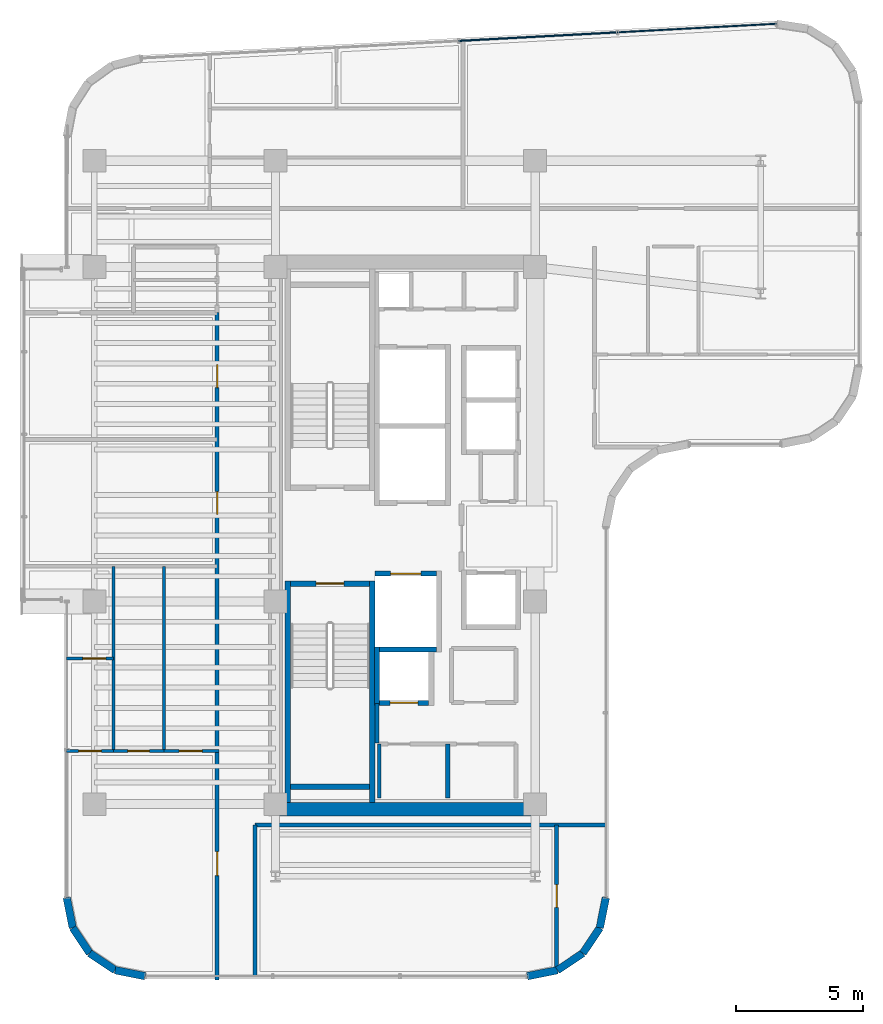
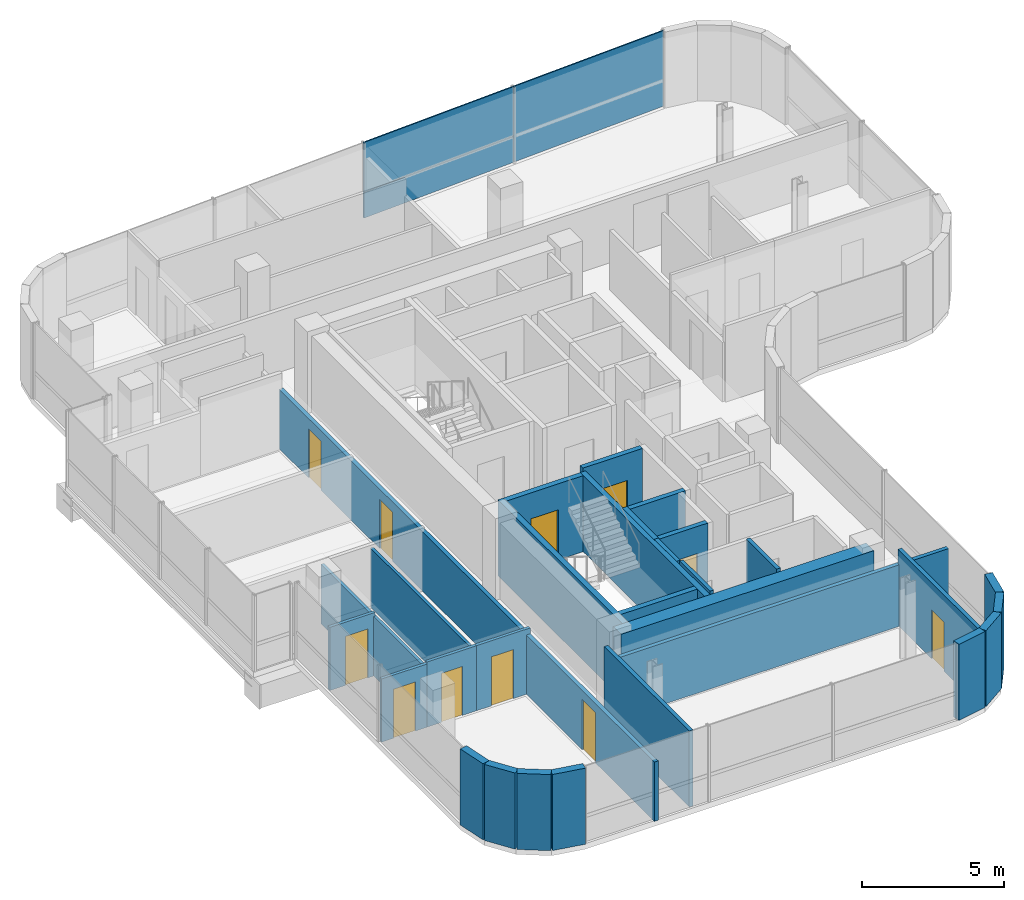
# One storey, part 16 of 22: 30 walls, 11 doors, 3 plates, 11 openings, 1 element without a shape of its own.
"""IFC4 building model written with IfcOpenShell, lengths in metres."""

import ifcopenshell
import ifcopenshell.guid

model = None  # the IFC model being written
_history = None  # IfcOwnerHistory: only IFC2X3 demands one
_inside = {}  # id of a spatial element -> (the spatial element, [elements in it])
_under = {}  # id of a project, library or spatial element -> (it, [spatial elements below it])
_declared = {}  # id of a project -> (the project, [libraries it declares])
_typed = {}  # id of a type object -> (the type object, [elements of that type])
_made_of = {}  # id of a material, layer set ... -> (it, [elements and type objects made of it])


def new_model(schema):
    """Start an empty IFC model of exactly this schema.

    Asked for "IFC4X3", IfcOpenShell would pick the latest addendum, in which some entities
    have other attributes; the version numbers below select the first issue.
    IFC2X3 requires an IfcOwnerHistory on every rooted entity: one is made here for all.
    """
    global model, _history
    if schema == "IFC4X3":
        model = ifcopenshell.file(schema_version=(4, 3, 0, 0))
    else:
        model = ifcopenshell.file(schema=schema)
    _inside.clear()
    _under.clear()
    _declared.clear()
    _typed.clear()
    _made_of.clear()
    _history = None
    if model.schema == "IFC2X3":
        org = make("IfcOrganization", Name="unknown")
        user = make(
            "IfcPersonAndOrganization",
            ThePerson=make("IfcPerson", FamilyName="unknown"),
            TheOrganization=org,
        )
        app = make(
            "IfcApplication",
            ApplicationDeveloper=org,
            Version="unknown",
            ApplicationFullName="unknown",
            ApplicationIdentifier="unknown",
        )
        _history = make(
            "IfcOwnerHistory",
            OwningUser=user,
            OwningApplication=app,
            ChangeAction="ADDED",
            CreationDate=0,
        )
    return model


def make(cls, **values):
    """One entity of the class cls with the attributes given. An attribute that is None is left unset."""
    return model.create_entity(
        cls, **{name: value for name, value in values.items() if value is not None}
    )


def rooted(cls, **values):
    """An entity with a GlobalId (a new one), such as an element, a storey or a relation."""
    return make(cls, GlobalId=ifcopenshell.guid.new(), OwnerHistory=_history, **values)


def si_unit(unit_type, name, prefix=None):
    """IfcSIUnit, for example si_unit("LENGTHUNIT", "METRE", prefix="MILLI")."""
    return make("IfcSIUnit", UnitType=unit_type, Prefix=prefix, Name=name)


def assignment(units):
    """IfcUnitAssignment: the units of a project."""
    return None if units is None else make("IfcUnitAssignment", Units=units)


def point(xyz):
    """IfcCartesianPoint."""
    return None if xyz is None else make("IfcCartesianPoint", Coordinates=xyz)


def direction(xyz):
    """IfcDirection."""
    return None if xyz is None else make("IfcDirection", DirectionRatios=xyz)


def frame(location, z_axis=None, x_axis=None):
    """IfcAxis2Placement3D, a coordinate frame: its origin and axes. An axis left out is left unset."""
    return make(
        "IfcAxis2Placement3D",
        Location=point(location),
        Axis=direction(z_axis),
        RefDirection=direction(x_axis),
    )


def frame_2d(location, x_axis=None):
    """IfcAxis2Placement2D, a coordinate frame in the plane: its origin and x axis."""
    return make(
        "IfcAxis2Placement2D", Location=point(location), RefDirection=direction(x_axis)
    )


def origin():
    """The frame at (0, 0, 0) with its axes left unset."""
    return frame((0.0, 0.0, 0.0))


def origin_2d():
    """The frame at (0, 0) in the plane with its x axis left unset."""
    return frame_2d((0.0, 0.0))


def place(relative_to, where):
    """IfcLocalPlacement: puts the frame where relative to a parent placement (None: the world)."""
    return make(
        "IfcLocalPlacement", PlacementRelTo=relative_to, RelativePlacement=where
    )


def context(
    kind, dimensions, precision=None, world=None, true_north=None, identifier=None
):
    """IfcGeometricRepresentationContext, for example the 3D "Model" context."""
    return make(
        "IfcGeometricRepresentationContext",
        ContextIdentifier=identifier,
        ContextType=kind,
        CoordinateSpaceDimension=dimensions,
        Precision=precision,
        WorldCoordinateSystem=world,
        TrueNorth=true_north,
    )


def subcontext(parent, identifier, kind, view, scale=None):
    """IfcGeometricRepresentationSubContext, for example "Body" below "Model"."""
    return make(
        "IfcGeometricRepresentationSubContext",
        ContextIdentifier=identifier,
        ContextType=kind,
        ParentContext=parent,
        TargetScale=scale,
        TargetView=view,
    )


def project(units=None, contexts=None):
    """IfcProject with its units and contexts."""
    return rooted(
        "IfcProject",
        Name="project",
        RepresentationContexts=contexts,
        UnitsInContext=assignment(units),
    )


def spatial(cls, under=None, at=None, **own):
    """A site, building, storey or space (cls), placed at a placement, below another one or the project."""
    s = rooted(cls, ObjectPlacement=at, **own)
    if under is not None:
        _under.setdefault(under.id(), (under, []))[1].append(s)
    return s


def profile(cls, at=None, kind="AREA", **sizes):
    """A parametric profile (cls). Its sizes go by their IFC names, for example OverallWidth=200.0."""
    return make(cls, ProfileType=kind, Position=at, **sizes)


def rectangle(**sizes):
    """IfcRectangleProfileDef."""
    return profile("IfcRectangleProfileDef", **sizes)


def extrude(swept, where, along, depth):
    """IfcExtrudedAreaSolid: the profile swept, set in the frame where, extruded along a direction by depth."""
    return make(
        "IfcExtrudedAreaSolid",
        SweptArea=swept,
        Position=where,
        ExtrudedDirection=direction(along),
        Depth=depth,
    )


def shape(context_of_items, identifier, shape_type, items):
    """IfcShapeRepresentation: the items that make up one representation, for example the "Body"."""
    return make(
        "IfcShapeRepresentation",
        ContextOfItems=context_of_items,
        RepresentationIdentifier=identifier,
        RepresentationType=shape_type,
        Items=items,
    )


def source(mapping_origin, context_of_items, identifier, shape_type, items):
    """IfcRepresentationMap: a shape defined once, which mapped items show again and again."""
    return make(
        "IfcRepresentationMap",
        MappingOrigin=mapping_origin,
        MappedRepresentation=shape(context_of_items, identifier, shape_type, items),
    )


def transform(
    local_origin,
    x_axis=None,
    y_axis=None,
    z_axis=None,
    scale=None,
    scale2=None,
    scale3=None,
    uniform=True,
):
    """IfcCartesianTransformationOperator3D, or its non-uniform kind. x_axis, y_axis, z_axis: its Axis1, 2, 3."""
    if uniform:
        return make(
            "IfcCartesianTransformationOperator3D",
            Axis1=direction(x_axis),
            Axis2=direction(y_axis),
            LocalOrigin=point(local_origin),
            Scale=scale,
            Axis3=direction(z_axis),
        )
    return make(
        "IfcCartesianTransformationOperator3DnonUniform",
        Axis1=direction(x_axis),
        Axis2=direction(y_axis),
        LocalOrigin=point(local_origin),
        Scale=scale,
        Axis3=direction(z_axis),
        Scale2=scale2,
        Scale3=scale3,
    )


def mapped(mapping_source, mapping_target):
    """IfcMappedItem: shows the shape of a source again, moved by a transform."""
    return make(
        "IfcMappedItem", MappingSource=mapping_source, MappingTarget=mapping_target
    )


def material(Name=None, Category=None):
    """IfcMaterial."""
    return make("IfcMaterial", Name=Name, Category=Category)


def layer(
    of_material, thickness, ventilated=None, Name=None, Category=None, Priority=None
):
    """IfcMaterialLayer: one layer of a wall or slab, of a material (None: an air gap)."""
    return make(
        "IfcMaterialLayer",
        Material=of_material,
        LayerThickness=thickness,
        IsVentilated=ventilated,
        Name=Name,
        Category=Category,
        Priority=Priority,
    )


def layer_set(layers, Name=None):
    """IfcMaterialLayerSet."""
    return make("IfcMaterialLayerSet", MaterialLayers=layers, LayerSetName=Name)


def made_of(thing, what):
    """Note that an element or type object is made of a material, layer set ...; save() writes the relation."""
    if what is not None:
        _made_of.setdefault(what.id(), (what, []))[1].append(thing)
    return thing


def type_object(cls, material=None, **own):
    """A type object (cls), such as IfcWallType, which elements share."""
    return made_of(rooted(cls, **own), material)


def element(
    cls,
    number,
    at=None,
    inside=None,
    cuts=None,
    type_object=None,
    material=None,
    context=None,
    identifier="Body",
    shape_type=None,
    held_by="IfcProductDefinitionShape",
    body=None,
    shapes=None,
    **own,
):
    """One element of the class cls, such as IfcWall. Its Tag is "e" and its number.

    at: its placement. inside: the storey or other place that contains it. cuts: it is an
    opening in that element (IfcRelVoidsElement). A single representation is given by context,
    identifier, shape_type and body (its items); several are given by shapes. held_by: the class
    of the entity that holds the representations. save() writes the other relations.
    """
    e = rooted(cls, Tag="e%d" % number, ObjectPlacement=at, **own)
    if body is not None:
        shapes = [shape(context, identifier, shape_type, body)]
    if shapes is not None:
        e.Representation = make(held_by, Representations=shapes)
    if inside is not None:
        _inside.setdefault(inside.id(), (inside, []))[1].append(e)
    if cuts is not None:
        rooted(
            "IfcRelVoidsElement", RelatingBuildingElement=cuts, RelatedOpeningElement=e
        )
    if type_object is not None:
        _typed.setdefault(type_object.id(), (type_object, []))[1].append(e)
    return made_of(e, material)


def fill(opening, filler):
    """IfcRelFillsElement: the door or window that sits in an opening."""
    return rooted(
        "IfcRelFillsElement",
        RelatingOpeningElement=opening,
        RelatedBuildingElement=filler,
    )


def aggregate(whole, parts):
    """IfcRelAggregates: a whole, such as a stair, and the parts it consists of."""
    return rooted("IfcRelAggregates", RelatingObject=whole, RelatedObjects=parts)


def save(model, path):
    """Write the relations noted so far, then the file.

    IfcRelAggregates (storeys below a building ...), IfcRelContainedInSpatialStructure (elements
    in a storey), IfcRelDefinesByType, IfcRelAssociatesMaterial and IfcRelDeclares: one each for
    every whole, place, type object, material and project.
    """
    for whole, parts in _under.values():
        aggregate(whole, parts)
    for where, things in _inside.values():
        rooted(
            "IfcRelContainedInSpatialStructure",
            RelatedElements=things,
            RelatingStructure=where,
        )
    for kind, things in _typed.values():
        rooted("IfcRelDefinesByType", RelatedObjects=things, RelatingType=kind)
    for what, things in _made_of.values():
        rooted("IfcRelAssociatesMaterial", RelatedObjects=things, RelatingMaterial=what)
    for by, libraries in _declared.values():
        rooted("IfcRelDeclares", RelatingContext=by, RelatedDefinitions=libraries)
    model.write(path)


model = new_model("IFC4")

# Units and contexts
model_context = context("Model", 3, precision=1e-05, world=origin(), true_north=direction((0.0, 1.0)))
body_context = subcontext(model_context, "Body", "Model", "MODEL_VIEW")
ifc_project = project(units=[si_unit("LENGTHUNIT", "METRE"), si_unit("AREAUNIT", "SQUARE_METRE"), si_unit("VOLUMEUNIT", "CUBIC_METRE"), si_unit("PLANEANGLEUNIT", "RADIAN"), si_unit("MASSUNIT", "GRAM", prefix="KILO")], contexts=[model_context])

# Site, building, storey
site_placement = place(None, origin())
site = spatial("IfcSite", under=ifc_project, at=site_placement, CompositionType="ELEMENT")
building_placement = place(site_placement, origin())
building = spatial("IfcBuilding", under=site, at=building_placement, Name="Valdorenza Pilgrim Sanctuary Tower", CompositionType="ELEMENT")
storey_placement = place(building_placement, frame((0.0, 0.0, 209.0)))
storey = spatial("IfcBuildingStorey", under=building, at=storey_placement, Name="L53", CompositionType="ELEMENT", Elevation=209.0)

# Curtain wall, plates
ifc_material_1 = material(Name="Curtain-wall IGU glazing", Category="glass")
curtain_wall_type = type_object("IfcCurtainWallType", Name="CW-SYS-02", PredefinedType="NOTDEFINED", material=ifc_material_1)
curtain_wall_placement = place(storey_placement, origin())
curtain_wall = element("IfcCurtainWall", 1, at=curtain_wall_placement, inside=storey, type_object=curtain_wall_type, Name="L53 Curtain Wall CW-L53-1-6", PredefinedType="NOTDEFINED")
ifc_material_2 = material(Name="Honed travertine limestone", Category="masonry")
ifc_layer_1 = layer(ifc_material_2, 0.050048828125, Name="Honed travertine limestone")
ifc_layer_set_1 = layer_set([ifc_layer_1], Name="Honed travertine limestone")
plate_type_1 = type_object("IfcPlateType", Name="CW-SPN-TRV", PredefinedType="USERDEFINED", material=ifc_layer_set_1)
shared_shape_1 = source(origin(), body_context, "Body", "SweptSolid", [
    extrude(rectangle(XDim=6.2587890625, YDim=0.06005859375, at=origin_2d()), origin(), (0.0, 0.0, 1.0), 1.10009765625),
])
plate_1_placement = place(storey_placement, frame((-12.281982421875, 19.699951171875, 0.010009765625), z_axis=(0.0, 0.0, 1.0), x_axis=(0.998547034311, 0.053887106711, 0.0)))
plate_1 = element("IfcPlate", 2, at=plate_1_placement, type_object=plate_type_1, Name="CW-L53-1-6 Travertine Spandrel 3", ObjectType="SPANDREL", PredefinedType="USERDEFINED", context=body_context, shape_type="MappedRepresentation", body=[
    mapped(shared_shape_1, transform((0.0, 0.0, 0.0), x_axis=(1.0, 0.0, 0.0), y_axis=(0.0, 1.0, 0.0), z_axis=(0.0, 0.0, 1.0), scale=1.0)),
])
ifc_material_3 = material(Name="Ceramic-fritted low-E IGU glazing", Category="glass")
ifc_layer_2 = layer(ifc_material_3, 0.035888671875, Name="Ceramic-fritted low-E IGU glazing")
ifc_layer_set_2 = layer_set([ifc_layer_2], Name="Ceramic-fritted low-E IGU glazing")
plate_type_2 = type_object("IfcPlateType", Name="CW-GLZ-IGU", PredefinedType="USERDEFINED", material=ifc_layer_set_2)
shared_shape_2 = source(origin(), body_context, "Body", "SweptSolid", [
    extrude(rectangle(XDim=6.2587890625, YDim=0.050048828125, at=origin_2d()), origin(), (0.0, 0.0, 1.0), 2.1201171875),
])
plate_2_placement = place(storey_placement, frame((-12.281982421875, 19.699951171875, 1.1298828125), z_axis=(0.0, 0.0, 1.0), x_axis=(0.998547034311, 0.053887106711, 0.0)))
plate_2 = element("IfcPlate", 3, at=plate_2_placement, type_object=plate_type_2, Name="CW-L53-1-6 Facade Panel 3", ObjectType="GLAZING", PredefinedType="USERDEFINED", context=body_context, shape_type="MappedRepresentation", body=[
    mapped(shared_shape_2, transform((0.0, 0.0, 0.0), x_axis=(1.0, 0.0, 0.0), y_axis=(0.0, 1.0, 0.0), z_axis=(0.0, 0.0, 1.0), scale=1.0)),
])
shared_shape_3 = source(origin(), body_context, "Body", "SweptSolid", [
    extrude(rectangle(XDim=6.2587890625, YDim=0.050048828125, at=origin_2d()), origin(), (0.0, 0.0, 1.0), 3.239990234375),
])
plate_3_placement = place(storey_placement, frame((-6.012451171875, 20.038330078125, 0.009765625), z_axis=(0.0, 0.0, 1.0), x_axis=(0.998547034311, 0.053887106711, 0.0)))
plate_3 = element("IfcPlate", 4, at=plate_3_placement, type_object=plate_type_2, Name="CW-L53-1-6 Full-Height Facade Panel 4", ObjectType="GLAZING", PredefinedType="USERDEFINED", context=body_context, shape_type="MappedRepresentation", body=[
    mapped(shared_shape_3, transform((0.0, 0.0, 0.0), x_axis=(1.0, 0.0, 0.0), y_axis=(0.0, 1.0, 0.0), z_axis=(0.0, 0.0, 1.0), scale=1.0)),
])
aggregate(curtain_wall, [plate_1, plate_2, plate_3])

# Walls
ifc_material_4 = material(Name="Acoustic twin-stud gypsum partition", Category="gypsum")
ifc_layer_3 = layer(ifc_material_4, 0.159912109375, Name="Acoustic twin-stud gypsum partition")
ifc_layer_set_3 = layer_set([ifc_layer_3], Name="Acoustic twin-stud gypsum partition")
wall_type_1 = type_object("IfcWallType", Name="WAL-COR-160", PredefinedType="PARTITIONING", material=ifc_layer_set_3)
wall_1_placement = place(storey_placement, frame((-18.64990234375, -8.179931640625, 0.0), z_axis=(0.0, 0.0, 1.0), x_axis=(0.0, 1.0, 0.0)))
element("IfcWall", 5, at=wall_1_placement, inside=storey, type_object=wall_type_1, Name="L53 Core A South Lift Hall West Wall", PredefinedType="PARTITIONING", context=body_context, shape_type="SweptSolid", body=[
    extrude(rectangle(XDim=1.559814453125, YDim=0.159912109375, at=frame_2d((0.77978515625, 0.0))), origin(), (0.0, 0.0, 1.0), 3.260009765625),
])
wall_2_placement = place(storey_placement, frame((-15.85009765625, -10.35009765625, 0.0), z_axis=(0.0, 0.0, 1.0), x_axis=(0.0, 1.0, 0.0)))
element("IfcWall", 6, at=wall_2_placement, inside=storey, type_object=wall_type_1, Name="L53 Freed Shaft 1 Split Wall", PredefinedType="PARTITIONING", context=body_context, shape_type="SweptSolid", body=[
    extrude(rectangle(XDim=2.130126953125, YDim=0.159912109375, at=frame_2d((1.06494140625, 0.0))), origin(), (0.0, 0.0, 1.0), 3.260009765625),
])
wall_3_placement = place(storey_placement, frame((-23.449951171875, -11.419921875, 0.0), z_axis=(0.0, 0.0, 1.0), x_axis=(1.0, 0.0, 0.0)))
element("IfcWall", 7, at=wall_3_placement, inside=storey, type_object=wall_type_1, Name="L53 South-East Pocket North Wall", PredefinedType="PARTITIONING", context=body_context, shape_type="SweptSolid", body=[
    extrude(rectangle(XDim=13.83984375, YDim=0.159912109375, at=frame_2d((6.919921875, 0.0))), origin(), (0.0, 0.0, 1.0), 2.634033203125),
])
wall_4_placement = place(storey_placement, frame((-23.449951171875, -17.389892578125, 0.0), z_axis=(0.0, 0.0, 1.0), x_axis=(0.0, 1.0, 0.0)))
element("IfcWall", 8, at=wall_4_placement, inside=storey, type_object=wall_type_1, Name="L53 South-East Pocket West Wall", PredefinedType="PARTITIONING", context=body_context, shape_type="SweptSolid", body=[
    extrude(rectangle(XDim=5.969970703125, YDim=0.159912109375, at=frame_2d((2.98486328125, 0.0))), origin(), (0.0, 0.0, 1.0), 3.260009765625),
])

# Wall, openings, doors
wall_5_placement = place(storey_placement, frame((-24.949951171875, -17.5400390625, 0.0), z_axis=(0.0, 0.0, 1.0), x_axis=(0.0, 1.0, 0.0)))
wall_5 = element("IfcWall", 9, at=wall_5_placement, inside=storey, type_object=wall_type_1, Name="L53 West Wing Corridor Wall", PredefinedType="PARTITIONING", context=body_context, shape_type="SweptSolid", body=[
    extrude(rectangle(XDim=26.340087890625, YDim=0.159912109375, at=frame_2d((13.169921875, 0.0))), origin(), (0.0, 0.0, 1.0), 2.5439453125),
])
opening_1_placement = place(wall_5_placement, frame((4.1220703125, 0.0, 0.0)))
opening_1 = element("IfcOpeningElement", 10, at=opening_1_placement, cuts=wall_5, Name="Opening DR-UN1", PredefinedType="OPENING", context=body_context, shape_type="SweptSolid", body=[
    extrude(rectangle(XDim=0.949951171875, YDim=2.14990234375, at=frame_2d((0.47509765625, 1.074951171875))), frame((0.0, 0.0947265625, 0.0), z_axis=(0.0, -1.0, 0.0), x_axis=(1.0, 0.0, 0.0)), (0.0, 0.0, 1.0), 0.189697265625),
])
opening_2_placement = place(wall_5_placement, frame((18.383056640625, 0.0, 0.0)))
opening_2 = element("IfcOpeningElement", 11, at=opening_2_placement, cuts=wall_5, Name="Opening DR-RM1", PredefinedType="OPENING", context=body_context, shape_type="SweptSolid", body=[
    extrude(rectangle(XDim=0.89990234375, YDim=2.10009765625, at=frame_2d((0.449951171875, 1.050048828125))), frame((0.0, 0.0947265625, 0.0), z_axis=(0.0, -1.0, 0.0), x_axis=(1.0, 0.0, 0.0)), (0.0, 0.0, 1.0), 0.189697265625),
])
opening_3_placement = place(wall_5_placement, frame((23.387939453125, 0.0, 0.0)))
opening_3 = element("IfcOpeningElement", 12, at=opening_3_placement, cuts=wall_5, Name="Opening DR-RM1", PredefinedType="OPENING", context=body_context, shape_type="SweptSolid", body=[
    extrude(rectangle(XDim=0.89990234375, YDim=2.10009765625, at=frame_2d((0.449951171875, 1.050048828125))), frame((0.0, 0.0947265625, 0.0), z_axis=(0.0, -1.0, 0.0), x_axis=(1.0, 0.0, 0.0)), (0.0, 0.0, 1.0), 0.189697265625),
])
ifc_material_5 = material(Name="Solid-core European oak timber", Category="wood")
door_type_1 = type_object("IfcDoorType", Name="DR-ROOM-900", OperationType="NOTDEFINED", PredefinedType="DOOR", material=ifc_material_5)
door_1_placement = place(opening_2_placement, origin())
door_1 = element("IfcDoor", 13, at=door_1_placement, inside=storey, type_object=door_type_1, Name="L53 Sanctuary Tea Lounge L53-W Door", OperationType="SINGLE_SWING_RIGHT", OverallHeight=2.10009765625, OverallWidth=0.89990234375, PredefinedType="DOOR", context=body_context, shape_type="SweptSolid", body=[
    extrude(rectangle(XDim=0.89990234375, YDim=2.10009765625, at=frame_2d((0.449951171875, 1.050048828125))), frame((0.0, 0.02490234375, 0.0), z_axis=(0.0, -1.0, 0.0), x_axis=(1.0, 0.0, 0.0)), (0.0, 0.0, 1.0), 0.050048828125),
])
fill(opening_2, door_1)
door_2_placement = place(opening_3_placement, frame((0.89990234375, 0.0, 0.0), z_axis=(0.0, 0.0, 1.0), x_axis=(-1.0, 0.0, 0.0)))
door_2 = element("IfcDoor", 14, at=door_2_placement, inside=storey, type_object=door_type_1, Name="L53 Curator Research Office L53-W Door", OperationType="SINGLE_SWING_LEFT", OverallHeight=2.10009765625, OverallWidth=0.89990234375, PredefinedType="DOOR", context=body_context, shape_type="SweptSolid", body=[
    extrude(rectangle(XDim=0.89990234375, YDim=2.10009765625, at=frame_2d((0.449951171875, 1.050048828125))), frame((0.0, 0.02490234375, 0.0), z_axis=(0.0, -1.0, 0.0), x_axis=(1.0, 0.0, 0.0)), (0.0, 0.0, 1.0), 0.050048828125),
])
fill(opening_3, door_2)
door_type_2 = type_object("IfcDoorType", Name="DR-UNIT-950", OperationType="NOTDEFINED", PredefinedType="DOOR", material=ifc_material_5)
door_3_placement = place(opening_1_placement, frame((0.949951171875, 0.0, 0.0), z_axis=(0.0, 0.0, 1.0), x_axis=(-1.0, 0.0, 0.0)))
door_3 = element("IfcDoor", 15, at=door_3_placement, inside=storey, type_object=door_type_2, Name="L53 Grand Pilgrim Residence L53-W1 Entrance Door", OperationType="SINGLE_SWING_LEFT", OverallHeight=2.14990234375, OverallWidth=0.949951171875, PredefinedType="DOOR", context=body_context, shape_type="SweptSolid", body=[
    extrude(rectangle(XDim=0.949951171875, YDim=2.14990234375, at=frame_2d((0.47509765625, 1.074951171875))), frame((0.0, 0.02490234375, 0.0), z_axis=(0.0, -1.0, 0.0), x_axis=(1.0, 0.0, 0.0)), (0.0, 0.0, 1.0), 0.050048828125),
])
fill(opening_1, door_3)

# Wall, opening, door
wall_6_placement = place(storey_placement, frame((-11.550048828125, -17.023681640625, 0.0), z_axis=(0.0, 0.0, 1.0), x_axis=(0.0, 1.0, 0.0)))
wall_6 = element("IfcWall", 16, at=wall_6_placement, inside=storey, type_object=wall_type_1, Name="L53 South-East Concourse Wall", PredefinedType="PARTITIONING", context=body_context, shape_type="SweptSolid", body=[
    extrude(rectangle(XDim=5.603759765625, YDim=0.159912109375, at=frame_2d((2.8017578125, 0.0))), origin(), (0.0, 0.0, 1.0), 3.260009765625),
])
opening_4_placement = place(wall_6_placement, frame((2.35205078125, 0.0, 0.0)))
opening_4 = element("IfcOpeningElement", 17, at=opening_4_placement, cuts=wall_6, Name="Opening DR-RM1", PredefinedType="OPENING", context=body_context, shape_type="SweptSolid", body=[
    extrude(rectangle(XDim=0.89990234375, YDim=2.10009765625, at=frame_2d((0.449951171875, 1.050048828125))), frame((0.0, 0.0947265625, 0.0), z_axis=(0.0, -1.0, 0.0), x_axis=(1.0, 0.0, 0.0)), (0.0, 0.0, 1.0), 0.189697265625),
])
door_4_placement = place(opening_4_placement, origin())
door_4 = element("IfcDoor", 18, at=door_4_placement, inside=storey, type_object=door_type_1, Name="L53 South Contemplation Lounge L53 Door", OperationType="SINGLE_SWING_RIGHT", OverallHeight=2.10009765625, OverallWidth=0.89990234375, PredefinedType="DOOR", context=body_context, shape_type="SweptSolid", body=[
    extrude(rectangle(XDim=0.89990234375, YDim=2.10009765625, at=frame_2d((0.449951171875, 1.050048828125))), frame((0.0, 0.02490234375, 0.0), z_axis=(0.0, -1.0, 0.0), x_axis=(1.0, 0.0, 0.0)), (0.0, 0.0, 1.0), 0.050048828125),
])
fill(opening_4, door_4)

# Walls
ifc_material_6 = material(Name="Concrete C50/60", Category="concrete")
ifc_layer_4 = layer(ifc_material_6, 0.550048828125, Name="Concrete C50/60")
ifc_layer_set_4 = layer_set([ifc_layer_4], Name="Concrete C50/60")
wall_type_2 = type_object("IfcWallType", Name="WAL-COR-550", PredefinedType="SHEAR", material=ifc_layer_set_4)
wall_7_placement = place(storey_placement, frame((-22.64990234375, -10.800048828125, 0.0), z_axis=(0.0, 0.0, 1.0), x_axis=(1.0, 0.0, 0.0)))
element("IfcWall", 19, at=wall_7_placement, inside=storey, type_object=wall_type_2, Name="L53 Split Core A Shear Wall S", PredefinedType="SHEAR", context=body_context, shape_type="SweptSolid", body=[
    extrude(rectangle(XDim=10.25, YDim=0.550048828125, at=frame_2d((5.125, 0.0))), origin(), (0.0, 0.0, 1.0), 3.260009765625),
])
ifc_layer_5 = layer(ifc_material_2, 0.300048828125, Name="Honed travertine limestone")
ifc_layer_set_5 = layer_set([ifc_layer_5], Name="Honed travertine limestone")
wall_type_3 = type_object("IfcWallType", Name="WAL-EXT-300", PredefinedType="SOLIDWALL", material=ifc_layer_set_5)
wall_8_placement = place(storey_placement, frame((-9.610107421875, -14.289306640625, 0.0), z_axis=(0.0, 0.0, 1.0), x_axis=(-0.194996050505, -0.980804027463, 0.0)))
element("IfcWall", 20, at=wall_8_placement, inside=storey, type_object=wall_type_3, Name="L53 Rounded Wind-Corner Stone Pier 22", PredefinedType="SOLIDWALL", context=body_context, shape_type="SweptSolid", body=[
    extrude(rectangle(XDim=1.2158203125, YDim=0.300048828125, at=frame_2d((0.60791015625, 0.0))), origin(), (0.0, 0.0, 1.0), 3.260009765625),
])
for number, where, z_axis, x_axis, name in (
    (21, (-9.84716796875, -15.481689453125, 0.0), (0.0, 0.0, 1.0), (-0.555635100982, -0.831426265255, 0.0), "L53 Rounded Wind-Corner Stone Pier 23"),
    (22, (-10.5166015625, -16.4833984375, 0.0), (0.0, 0.0, 1.0), (-0.831426265255, -0.555635100982, 0.0), "L53 Rounded Wind-Corner Stone Pier 24"),
):
    element("IfcWall", number, at=place(storey_placement, frame(where, z_axis=z_axis, x_axis=x_axis)), inside=storey, type_object=wall_type_3, Name=name, PredefinedType="SOLIDWALL", context=body_context, shape_type="SweptSolid", body=[
        extrude(rectangle(XDim=1.204833984375, YDim=0.300048828125, at=frame_2d((0.6025390625, 0.0))), origin(), (0.0, 0.0, 1.0), 3.260009765625),
    ])
for number, where, z_axis, x_axis, name in (
    (23, (-11.518310546875, -17.15283203125, 0.0), (0.0, 0.0, 1.0), (-0.980804027463, -0.194996050505, 0.0), "L53 Rounded Wind-Corner Stone Pier 25"),
    (24, (-27.789306640625, -17.389892578125, 0.0), (0.0, 0.0, 1.0), (-0.980804027463, 0.194996050505, 0.0), "L53 Rounded Wind-Corner Stone Pier 27"),
):
    element("IfcWall", number, at=place(storey_placement, frame(where, z_axis=z_axis, x_axis=x_axis)), inside=storey, type_object=wall_type_3, Name=name, PredefinedType="SOLIDWALL", context=body_context, shape_type="SweptSolid", body=[
        extrude(rectangle(XDim=1.2158203125, YDim=0.300048828125, at=frame_2d((0.60791015625, 0.0))), origin(), (0.0, 0.0, 1.0), 3.260009765625),
    ])
for number, where, z_axis, x_axis, name in (
    (25, (-28.981689453125, -17.15283203125, 0.0), (0.0, 0.0, 1.0), (-0.831426265255, 0.555635100982, 0.0), "L53 Rounded Wind-Corner Stone Pier 28"),
    (26, (-29.9833984375, -16.4833984375, 0.0), (0.0, 0.0, 1.0), (-0.555635100982, 0.831426265255, 0.0), "L53 Rounded Wind-Corner Stone Pier 29"),
):
    element("IfcWall", number, at=place(storey_placement, frame(where, z_axis=z_axis, x_axis=x_axis)), inside=storey, type_object=wall_type_3, Name=name, PredefinedType="SOLIDWALL", context=body_context, shape_type="SweptSolid", body=[
        extrude(rectangle(XDim=1.204833984375, YDim=0.300048828125, at=frame_2d((0.6025390625, 0.0))), origin(), (0.0, 0.0, 1.0), 3.260009765625),
    ])
wall_9_placement = place(storey_placement, frame((-30.65283203125, -15.481689453125, 0.0), z_axis=(0.0, 0.0, 1.0), x_axis=(-0.194996050505, 0.980804027463, 0.0)))
element("IfcWall", 27, at=wall_9_placement, inside=storey, type_object=wall_type_3, Name="L53 Rounded Wind-Corner Stone Pier 30", PredefinedType="SOLIDWALL", context=body_context, shape_type="SweptSolid", body=[
    extrude(rectangle(XDim=1.2158203125, YDim=0.300048828125, at=frame_2d((0.60791015625, 0.0))), origin(), (0.0, 0.0, 1.0), 3.260009765625),
])
ifc_material_7 = material(Name="Moisture-resistant gypsum partition", Category="gypsum")
ifc_layer_6 = layer(ifc_material_7, 0.1201171875, Name="Moisture-resistant gypsum partition")
ifc_layer_set_6 = layer_set([ifc_layer_6], Name="Moisture-resistant gypsum partition")
wall_type_4 = type_object("IfcWallType", Name="WAL-INT-120", PredefinedType="PARTITIONING", material=ifc_layer_set_6)
for number, where, z_axis, x_axis, name in (
    (28, (-27.050048828125, -8.49658203125, 0.0), (0.0, 0.0, 1.0), (0.0, 1.0, 0.0), "L53 Grand Pilgrim Residence L53-W1 Bath-Kitchen Wall"),
    (29, (-29.050048828125, -8.49658203125, 0.0), (0.0, 0.0, 1.0), (0.0, 1.0, 0.0), "L53 Grand Pilgrim Residence L53-W1 Kitchen-Bedroom Wall"),
):
    element("IfcWall", number, at=place(storey_placement, frame(where, z_axis=z_axis, x_axis=x_axis)), inside=storey, type_object=wall_type_4, Name=name, PredefinedType="PARTITIONING", context=body_context, shape_type="SweptSolid", body=[
        extrude(rectangle(XDim=7.28759765625, YDim=0.1201171875, at=frame_2d((3.643798828125, 0.0))), origin(), (0.0, 0.0, 1.0), 2.5439453125),
    ])

# Wall, opening, door
wall_10_placement = place(storey_placement, frame((-29.050048828125, -8.49658203125, 0.0), z_axis=(0.0, 0.0, 1.0), x_axis=(1.0, 0.0, 0.0)))
wall_10 = element("IfcWall", 30, at=wall_10_placement, inside=storey, type_object=wall_type_4, Name="L53 Grand Pilgrim Residence L53-W1 Bathroom Door Wall", PredefinedType="PARTITIONING", context=body_context, shape_type="SweptSolid", body=[
    extrude(rectangle(XDim=2.0, YDim=0.1201171875, at=frame_2d((1.0, 0.0))), origin(), (0.0, 0.0, 1.0), 2.7880859375),
])
opening_5_placement = place(wall_10_placement, frame((0.574951171875, 0.0, 0.0)))
opening_5 = element("IfcOpeningElement", 31, at=opening_5_placement, cuts=wall_10, Name="Opening DR-WC1", PredefinedType="OPENING", context=body_context, shape_type="SweptSolid", body=[
    extrude(rectangle(XDim=0.85009765625, YDim=2.10009765625, at=frame_2d((0.425048828125, 1.050048828125))), frame((0.0, 0.074951171875, 0.0), z_axis=(0.0, -1.0, 0.0), x_axis=(1.0, 0.0, 0.0)), (0.0, 0.0, 1.0), 0.14990234375),
])
ifc_material_8 = material(Name="Moisture-resistant lacquered timber", Category="wood")
door_type_3 = type_object("IfcDoorType", Name="DR-BATH-850", OperationType="NOTDEFINED", PredefinedType="DOOR", material=ifc_material_8)
door_5_placement = place(opening_5_placement, origin())
door_5 = element("IfcDoor", 32, at=door_5_placement, inside=storey, type_object=door_type_3, Name="L53 Grand Pilgrim Residence L53-W1 Bathroom Door", OperationType="SINGLE_SWING_RIGHT", OverallHeight=2.10009765625, OverallWidth=0.85009765625, PredefinedType="DOOR", context=body_context, shape_type="SweptSolid", body=[
    extrude(rectangle(XDim=0.85009765625, YDim=2.10009765625, at=frame_2d((0.425048828125, 1.050048828125))), frame((0.0, 0.02490234375, 0.0), z_axis=(0.0, -1.0, 0.0), x_axis=(1.0, 0.0, 0.0)), (0.0, 0.0, 1.0), 0.050048828125),
])
fill(opening_5, door_5)

wall_11_placement = place(storey_placement, frame((-27.050048828125, -8.49658203125, 0.0), z_axis=(0.0, 0.0, 1.0), x_axis=(1.0, 0.0, 0.0)))
wall_11 = element("IfcWall", 33, at=wall_11_placement, inside=storey, type_object=wall_type_4, Name="L53 Grand Pilgrim Residence L53-W1 Kitchen Door Wall", PredefinedType="PARTITIONING", context=body_context, shape_type="SweptSolid", body=[
    extrude(rectangle(XDim=2.179931640625, YDim=0.1201171875, at=frame_2d((1.08984375, 0.0))), origin(), (0.0, 0.0, 1.0), 2.7880859375),
])
opening_6_placement = place(wall_11_placement, frame((0.60009765625, 0.0, 0.0)))
opening_6 = element("IfcOpeningElement", 34, at=opening_6_placement, cuts=wall_11, Name="Opening DR-RM1", PredefinedType="OPENING", context=body_context, shape_type="SweptSolid", body=[
    extrude(rectangle(XDim=0.89990234375, YDim=2.10009765625, at=frame_2d((0.449951171875, 1.050048828125))), frame((0.0, 0.074951171875, 0.0), z_axis=(0.0, -1.0, 0.0), x_axis=(1.0, 0.0, 0.0)), (0.0, 0.0, 1.0), 0.14990234375),
])
door_6_placement = place(opening_6_placement, origin())
door_6 = element("IfcDoor", 35, at=door_6_placement, inside=storey, type_object=door_type_1, Name="L53 Grand Pilgrim Residence L53-W1 Kitchen Door", OperationType="SINGLE_SWING_LEFT", OverallHeight=2.10009765625, OverallWidth=0.89990234375, PredefinedType="DOOR", context=body_context, shape_type="SweptSolid", body=[
    extrude(rectangle(XDim=0.89990234375, YDim=2.10009765625, at=frame_2d((0.449951171875, 1.050048828125))), frame((0.0, 0.02490234375, 0.0), z_axis=(0.0, -1.0, 0.0), x_axis=(1.0, 0.0, 0.0)), (0.0, 0.0, 1.0), 0.050048828125),
])
fill(opening_6, door_6)

wall_12_placement = place(storey_placement, frame((-30.889892578125, -8.49658203125, 0.0), z_axis=(0.0, 0.0, 1.0), x_axis=(1.0, 0.0, 0.0)))
wall_12 = element("IfcWall", 36, at=wall_12_placement, inside=storey, type_object=wall_type_4, Name="L53 Grand Pilgrim Residence L53-W1 Bedroom Door Wall", PredefinedType="PARTITIONING", context=body_context, shape_type="SweptSolid", body=[
    extrude(rectangle(XDim=1.83984375, YDim=0.1201171875, at=frame_2d((0.919921875, 0.0))), origin(), (0.0, 0.0, 1.0), 2.7060546875),
])
opening_7_placement = place(wall_12_placement, frame((0.469970703125, 0.0, 0.0)))
opening_7 = element("IfcOpeningElement", 37, at=opening_7_placement, cuts=wall_12, Name="Opening DR-RM1", PredefinedType="OPENING", context=body_context, shape_type="SweptSolid", body=[
    extrude(rectangle(XDim=0.89990234375, YDim=2.10009765625, at=frame_2d((0.449951171875, 1.050048828125))), frame((0.0, 0.074951171875, 0.0), z_axis=(0.0, -1.0, 0.0), x_axis=(1.0, 0.0, 0.0)), (0.0, 0.0, 1.0), 0.14990234375),
])
door_7_placement = place(opening_7_placement, origin())
door_7 = element("IfcDoor", 38, at=door_7_placement, inside=storey, type_object=door_type_1, Name="L53 Grand Pilgrim Residence L53-W1 Bedroom 1 Door", OperationType="SINGLE_SWING_RIGHT", OverallHeight=2.10009765625, OverallWidth=0.89990234375, PredefinedType="DOOR", context=body_context, shape_type="SweptSolid", body=[
    extrude(rectangle(XDim=0.89990234375, YDim=2.10009765625, at=frame_2d((0.449951171875, 1.050048828125))), frame((0.0, 0.02490234375, 0.0), z_axis=(0.0, -1.0, 0.0), x_axis=(1.0, 0.0, 0.0)), (0.0, 0.0, 1.0), 0.050048828125),
])
fill(opening_7, door_7)

wall_13_placement = place(storey_placement, frame((-30.889892578125, -4.852783203125, 0.0), z_axis=(0.0, 0.0, 1.0), x_axis=(1.0, 0.0, 0.0)))
wall_13 = element("IfcWall", 39, at=wall_13_placement, inside=storey, type_object=wall_type_4, Name="L53 Grand Pilgrim Residence L53-W1 Bedroom 2 Wall", PredefinedType="PARTITIONING", context=body_context, shape_type="SweptSolid", body=[
    extrude(rectangle(XDim=1.83984375, YDim=0.1201171875, at=frame_2d((0.919921875, 0.0))), origin(), (0.0, 0.0, 1.0), 2.7060546875),
])
opening_8_placement = place(wall_13_placement, frame((0.639892578125, 0.0, 0.0)))
opening_8 = element("IfcOpeningElement", 40, at=opening_8_placement, cuts=wall_13, Name="Opening DR-RM1", PredefinedType="OPENING", context=body_context, shape_type="SweptSolid", body=[
    extrude(rectangle(XDim=0.89990234375, YDim=2.10009765625, at=frame_2d((0.449951171875, 1.050048828125))), frame((0.0, 0.074951171875, 0.0), z_axis=(0.0, -1.0, 0.0), x_axis=(1.0, 0.0, 0.0)), (0.0, 0.0, 1.0), 0.14990234375),
])
door_8_placement = place(opening_8_placement, frame((0.89990234375, 0.0, 0.0), z_axis=(0.0, 0.0, 1.0), x_axis=(-1.0, 0.0, 0.0)))
door_8 = element("IfcDoor", 41, at=door_8_placement, inside=storey, type_object=door_type_1, Name="L53 Grand Pilgrim Residence L53-W1 Bedroom 2 Door", OperationType="SINGLE_SWING_LEFT", OverallHeight=2.10009765625, OverallWidth=0.89990234375, PredefinedType="DOOR", context=body_context, shape_type="SweptSolid", body=[
    extrude(rectangle(XDim=0.89990234375, YDim=2.10009765625, at=frame_2d((0.449951171875, 1.050048828125))), frame((0.0, 0.02490234375, 0.0), z_axis=(0.0, -1.0, 0.0), x_axis=(1.0, 0.0, 0.0)), (0.0, 0.0, 1.0), 0.050048828125),
])
fill(opening_8, door_8)

# Wall
ifc_material_9 = material(Name="Autoclaved aerated concrete blockwork", Category="masonry")
ifc_layer_7 = layer(ifc_material_9, 0.199951171875, Name="Autoclaved aerated concrete blockwork")
ifc_layer_set_7 = layer_set([ifc_layer_7], Name="Autoclaved aerated concrete blockwork")
wall_type_5 = type_object("IfcWallType", Name="WAL-SHF-200", PredefinedType="MOVABLE", material=ifc_layer_set_7)
wall_14_placement = place(storey_placement, frame((-18.719970703125, -4.5, 0.0), z_axis=(0.0, 0.0, 1.0), x_axis=(1.0, 0.0, 0.0)))
element("IfcWall", 42, at=wall_14_placement, inside=storey, type_object=wall_type_5, Name="L53 Lift FFL-02 Hoistway Wall South", PredefinedType="MOVABLE", context=body_context, shape_type="SweptSolid", body=[
    extrude(rectangle(XDim=2.419921875, YDim=0.199951171875, at=frame_2d((1.2099609375, 0.0))), origin(), (0.0, 0.0, 1.0), 3.260009765625),
])

# Wall, opening, door
wall_15_placement = place(storey_placement, frame((-18.719970703125, -1.5, 0.0), z_axis=(0.0, 0.0, 1.0), x_axis=(1.0, 0.0, 0.0)))
wall_15 = element("IfcWall", 43, at=wall_15_placement, inside=storey, type_object=wall_type_5, Name="L53 Lift FFL-02 Hoistway Wall North", PredefinedType="MOVABLE", context=body_context, shape_type="SweptSolid", body=[
    extrude(rectangle(XDim=2.419921875, YDim=0.199951171875, at=frame_2d((1.2099609375, 0.0))), origin(), (0.0, 0.0, 1.0), 3.260009765625),
])
opening_9_placement = place(wall_15_placement, frame((0.610107421875, 0.0, 0.0)))
opening_9 = element("IfcOpeningElement", 44, at=opening_9_placement, cuts=wall_15, Name="Opening LD-02", PredefinedType="OPENING", context=body_context, shape_type="SweptSolid", body=[
    extrude(rectangle(XDim=1.199951171875, YDim=2.10009765625, at=frame_2d((0.60009765625, 1.050048828125))), frame((0.0, 0.11474609375, 0.0), z_axis=(0.0, -1.0, 0.0), x_axis=(1.0, 0.0, 0.0)), (0.0, 0.0, 1.0), 0.229736328125),
])
ifc_material_10 = material(Name="Brushed stainless steel Grade 316", Category="steel")
door_type_4 = type_object("IfcDoorType", Name="DR-LFT-1200", OperationType="DOUBLE_DOOR_SLIDING", PredefinedType="DOOR", material=ifc_material_10)
door_9_placement = place(opening_9_placement, origin())
door_9 = element("IfcDoor", 45, at=door_9_placement, inside=storey, type_object=door_type_4, Name="L53 Lift FFL-02 Sliding Landing Door", OperationType="DOUBLE_DOOR_SLIDING", OverallHeight=2.10009765625, OverallWidth=1.199951171875, PredefinedType="DOOR", context=body_context, shape_type="SweptSolid", body=[
    extrude(rectangle(XDim=1.199951171875, YDim=2.10009765625, at=frame_2d((0.60009765625, 1.050048828125))), frame((0.0, 0.02490234375, 0.0), z_axis=(0.0, -1.0, 0.0), x_axis=(1.0, 0.0, 0.0)), (0.0, 0.0, 1.0), 0.050048828125),
])
fill(opening_9, door_9)

# Wall
wall_16_placement = place(storey_placement, frame((-18.64990234375, -6.699951171875, 0.0), z_axis=(0.0, 0.0, 1.0), x_axis=(0.0, 1.0, 0.0)))
element("IfcWall", 46, at=wall_16_placement, inside=storey, type_object=wall_type_5, Name="L53 Lift PL-11 Hoistway Wall West", PredefinedType="MOVABLE", context=body_context, shape_type="SweptSolid", body=[
    extrude(rectangle(XDim=2.300048828125, YDim=0.199951171875, at=frame_2d((1.14990234375, 0.0))), origin(), (0.0, 0.0, 1.0), 3.260009765625),
])

# Wall, opening, door
wall_17_placement = place(storey_placement, frame((-18.550048828125, -6.60009765625, 0.0), z_axis=(0.0, 0.0, 1.0), x_axis=(1.0, 0.0, 0.0)))
wall_17 = element("IfcWall", 47, at=wall_17_placement, inside=storey, type_object=wall_type_5, Name="L53 Lift PL-11 Hoistway Wall South", PredefinedType="MOVABLE", context=body_context, shape_type="SweptSolid", body=[
    extrude(rectangle(XDim=1.949951171875, YDim=0.199951171875, at=frame_2d((0.97509765625, 0.0))), origin(), (0.0, 0.0, 1.0), 3.260009765625),
])
opening_10_placement = place(wall_17_placement, frame((0.425048828125, 0.0, 0.0)))
opening_10 = element("IfcOpeningElement", 48, at=opening_10_placement, cuts=wall_17, Name="Opening LD-01", PredefinedType="OPENING", context=body_context, shape_type="SweptSolid", body=[
    extrude(rectangle(XDim=1.10009765625, YDim=2.10009765625, at=frame_2d((0.550048828125, 1.050048828125))), frame((0.0, 0.11474609375, 0.0), z_axis=(0.0, -1.0, 0.0), x_axis=(1.0, 0.0, 0.0)), (0.0, 0.0, 1.0), 0.229736328125),
])
door_type_5 = type_object("IfcDoorType", Name="DR-LFT-1100", OperationType="DOUBLE_DOOR_SLIDING", PredefinedType="DOOR", material=ifc_material_10)
door_10_placement = place(opening_10_placement, origin())
door_10 = element("IfcDoor", 49, at=door_10_placement, inside=storey, type_object=door_type_5, Name="L53 Lift PL-11 Sliding Landing Door", OperationType="DOUBLE_DOOR_SLIDING", OverallHeight=2.10009765625, OverallWidth=1.10009765625, PredefinedType="DOOR", context=body_context, shape_type="SweptSolid", body=[
    extrude(rectangle(XDim=1.10009765625, YDim=2.10009765625, at=frame_2d((0.550048828125, 1.050048828125))), frame((0.0, 0.02490234375, 0.0), z_axis=(0.0, -1.0, 0.0), x_axis=(1.0, 0.0, 0.0)), (0.0, 0.0, 1.0), 0.050048828125),
])
fill(opening_10, door_10)

# Walls
ifc_material_11 = material(Name="Concrete C40/50", Category="concrete")
ifc_layer_8 = layer(ifc_material_11, 0.219970703125, Name="Concrete C40/50")
ifc_layer_set_8 = layer_set([ifc_layer_8], Name="Concrete C40/50")
wall_type_6 = type_object("IfcWallType", Name="WAL-STR-SHF-220", PredefinedType="SHEAR", material=ifc_layer_set_8)
for number, where, z_axis, x_axis, name in (
    (50, (-22.159912109375, -10.52490234375, 0.0), (0.0, 0.0, 1.0), (0.0, 1.0, 0.0), "L53 ST-A2 Structural Stairwell Wall W"),
    (51, (-18.830078125, -10.52490234375, 0.0), (0.0, 0.0, 1.0), (0.0, 1.0, 0.0), "L53 ST-A2 Structural Stairwell Wall E"),
):
    element("IfcWall", number, at=place(storey_placement, frame(where, z_axis=z_axis, x_axis=x_axis)), inside=storey, type_object=wall_type_6, Name=name, PredefinedType="SHEAR", context=body_context, shape_type="SweptSolid", body=[
        extrude(rectangle(XDim=8.744873046875, YDim=0.219970703125, at=frame_2d((4.37255859375, 0.0))), origin(), (0.0, 0.0, 1.0), 3.260009765625),
    ])
wall_18_placement = place(storey_placement, frame((-22.050048828125, -9.909912109375, 0.0), z_axis=(0.0, 0.0, 1.0), x_axis=(1.0, 0.0, 0.0)))
element("IfcWall", 52, at=wall_18_placement, inside=storey, type_object=wall_type_6, Name="L53 ST-A2 Structural Stairwell Wall S", PredefinedType="SHEAR", context=body_context, shape_type="SweptSolid", body=[
    extrude(rectangle(XDim=3.110107421875, YDim=0.219970703125, at=frame_2d((1.55517578125, 0.0))), origin(), (0.0, 0.0, 1.0), 3.260009765625),
])

# Wall, opening, door
wall_19_placement = place(storey_placement, frame((-22.050048828125, -1.889892578125, 0.0), z_axis=(0.0, 0.0, 1.0), x_axis=(1.0, 0.0, 0.0)))
wall_19 = element("IfcWall", 53, at=wall_19_placement, inside=storey, type_object=wall_type_6, Name="L53 ST-A2 Structural Stairwell Wall N", PredefinedType="SHEAR", context=body_context, shape_type="SweptSolid", body=[
    extrude(rectangle(XDim=3.110107421875, YDim=0.219970703125, at=frame_2d((1.55517578125, 0.0))), origin(), (0.0, 0.0, 1.0), 3.260009765625),
])
opening_11_placement = place(wall_19_placement, frame((1.0, 0.0, 0.0)))
opening_11 = element("IfcOpeningElement", 54, at=opening_11_placement, cuts=wall_19, Name="Opening DR-ST1", PredefinedType="OPENING", context=body_context, shape_type="SweptSolid", body=[
    extrude(rectangle(XDim=1.10009765625, YDim=2.14990234375, at=frame_2d((0.550048828125, 1.074951171875))), frame((0.0, 0.125, 0.0), z_axis=(0.0, -1.0, 0.0), x_axis=(1.0, 0.0, 0.0)), (0.0, 0.0, 1.0), 0.249755859375),
])
ifc_material_12 = material(Name="Painted galvanized steel", Category="steel")
door_type_6 = type_object("IfcDoorType", Name="DR-STAIR-1100", OperationType="NOTDEFINED", PredefinedType="DOOR", material=ifc_material_12)
door_11_placement = place(opening_11_placement, origin())
door_11 = element("IfcDoor", 55, at=door_11_placement, inside=storey, type_object=door_type_6, Name="L53 Exit Stair ST-A2 Door", OperationType="SINGLE_SWING_RIGHT", OverallHeight=2.14990234375, OverallWidth=1.10009765625, PredefinedType="DOOR", context=body_context, shape_type="SweptSolid", body=[
    extrude(rectangle(XDim=1.10009765625, YDim=2.14990234375, at=frame_2d((0.550048828125, 1.074951171875))), frame((0.0, 0.02490234375, 0.0), z_axis=(0.0, -1.0, 0.0), x_axis=(1.0, 0.0, 0.0)), (0.0, 0.0, 1.0), 0.050048828125),
])
fill(opening_11, door_11)

# Wall
ifc_layer_9 = layer(ifc_material_4, 0.14990234375, Name="Acoustic twin-stud gypsum partition")
ifc_layer_set_9 = layer_set([ifc_layer_9], Name="Acoustic twin-stud gypsum partition")
wall_type_7 = type_object("IfcWallType", Name="WAL-UNT-150", PredefinedType="PARTITIONING", material=ifc_layer_set_9)
wall_20_placement = place(storey_placement, frame((-18.550048828125, -10.35009765625, 0.0), z_axis=(0.0, 0.0, 1.0), x_axis=(0.0, 1.0, 0.0)))
element("IfcWall", 56, at=wall_20_placement, inside=storey, type_object=wall_type_7, Name="L53 Freed Shaft 1 West Wall", PredefinedType="PARTITIONING", context=body_context, shape_type="SweptSolid", body=[
    extrude(rectangle(XDim=2.130126953125, YDim=0.14990234375, at=frame_2d((1.06494140625, 0.0))), origin(), (0.0, 0.0, 1.0), 3.260009765625),
])

save(model, "model.ifc")
